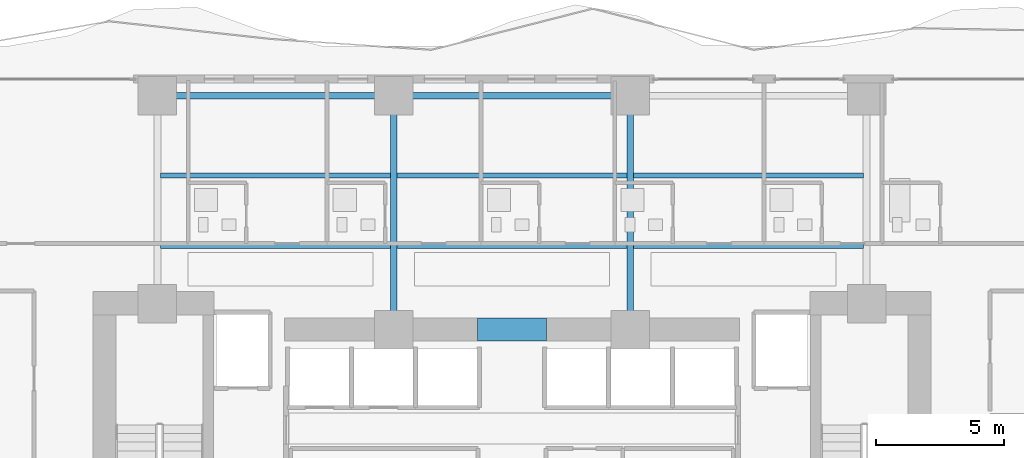
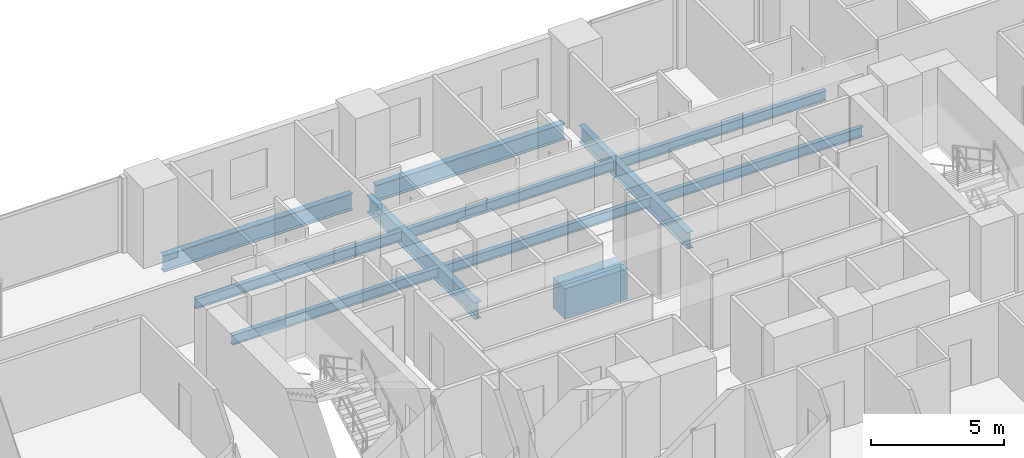
# One storey, part 14 of 28: 11 beams.
"""IFC4 building model written with IfcOpenShell, lengths in metres."""

from ifc_helpers import new_model, si_unit, direction, frame, origin, origin_2d, place, context, subcontext, project, spatial, rectangle, i_section, extrude, material, material_profile, profile_set, type_object, element, save


model = new_model("IFC4")

# Units and contexts
model_context = context("Model", 3, precision=1e-05, world=origin(), true_north=direction((0.0, 1.0)))
body_context = subcontext(model_context, "Body", "Model", "MODEL_VIEW")
ifc_project = project(units=[si_unit("LENGTHUNIT", "METRE"), si_unit("AREAUNIT", "SQUARE_METRE"), si_unit("VOLUMEUNIT", "CUBIC_METRE"), si_unit("PLANEANGLEUNIT", "RADIAN"), si_unit("MASSUNIT", "GRAM", prefix="KILO")], contexts=[model_context])

# Site, building, storey
site_placement = place(None, origin())
site = spatial("IfcSite", under=ifc_project, at=site_placement, CompositionType="ELEMENT")
building_placement = place(site_placement, origin())
building = spatial("IfcBuilding", under=site, at=building_placement, Name="Zuhayl Quay Hotel", CompositionType="ELEMENT")
storey_placement = place(building_placement, frame((0.0, 0.0, 31.25)))
storey = spatial("IfcBuildingStorey", under=building, at=storey_placement, Name="L06", CompositionType="ELEMENT", Elevation=31.25)

# Beams
ifc_material_1 = material(Name="Steel ASTM A992 Grade 50", Category="steel")
ifc_material_profile_1 = material_profile(ifc_material_1, i_section(OverallWidth=0.26708984375, OverallDepth=0.761962890625, WebThickness=0.014404296875, FlangeThickness=0.021484375, at=origin_2d()), Name="W30X116")
ifc_profile_set_1 = profile_set([ifc_material_profile_1], Name="Steel ASTM A992 Grade 50")
beam_type_1 = type_object("IfcBeamType", Name="BM_B1_W30X116", PredefinedType="BEAM", material=ifc_profile_set_1)
beam_1_placement = place(storey_placement, frame((4.10009765625, 22.449951171875, -0.60107421875), z_axis=(-1.0, 0.0, 0.0), x_axis=(0.0, -1.0, 0.0)))
element("IfcBeam", 1, at=beam_1_placement, inside=storey, type_object=beam_type_1, Name="L06 Floor Beam RG_L06_08", PredefinedType="BEAM", context=body_context, shape_type="SweptSolid", body=[
    extrude(i_section(OverallWidth=0.26708984375, OverallDepth=0.761962890625, WebThickness=0.014404296875, FlangeThickness=0.021484375, at=origin_2d()), origin(), (0.0, 0.0, 1.0), 8.2001953125),
])
beam_2_placement = place(storey_placement, frame((-5.10009765625, 22.449951171875, -0.60107421875), z_axis=(-1.0, 0.0, 0.0), x_axis=(0.0, -1.0, 0.0)))
element("IfcBeam", 2, at=beam_2_placement, inside=storey, type_object=beam_type_1, Name="L06 Floor Beam RG_L06_09", PredefinedType="BEAM", context=body_context, shape_type="SweptSolid", body=[
    extrude(i_section(OverallWidth=0.26708984375, OverallDepth=0.761962890625, WebThickness=0.014404296875, FlangeThickness=0.021484375, at=origin_2d()), origin(), (0.0, 0.0, 1.0), 8.199951171875),
])
for number, where, z_axis, x_axis, name in (
    (3, (-4.60009765625, 13.800048828125, -0.60107421875), (0.0, 1.0, 0.0), (-1.0, 0.0, 0.0), "L06 Floor Beam FG_N_L06_2"),
    (4, (4.60009765625, 13.800048828125, -0.60107421875), (0.0, 1.0, 0.0), (-1.0, 0.0, 0.0), "L06 Floor Beam FG_N_L06_3"),
):
    element("IfcBeam", number, at=place(storey_placement, frame(where, z_axis=z_axis, x_axis=x_axis)), inside=storey, type_object=beam_type_1, Name=name, PredefinedType="BEAM", context=body_context, shape_type="SweptSolid", body=[
        extrude(i_section(OverallWidth=0.26708984375, OverallDepth=0.761962890625, WebThickness=0.014404296875, FlangeThickness=0.021484375, at=origin_2d()), origin(), (0.0, 0.0, 1.0), 8.14990234375),
    ])
ifc_material_2 = material(Name="Concrete C60/75", Category="concrete")
ifc_material_profile_2 = material_profile(ifc_material_2, rectangle(XDim=0.89990234375, YDim=1.39990234375, at=origin_2d()), Name="RC900X1400")
ifc_profile_set_2 = profile_set([ifc_material_profile_2], Name="Concrete C60/75")
beam_type_2 = type_object("IfcBeamType", Name="BM_CB1_RC900", PredefinedType="T_BEAM", material=ifc_profile_set_2)
beam_3_placement = place(storey_placement, frame((-1.35009765625, 13.35009765625, -0.919921875), z_axis=(1.0, 0.0, 0.0), x_axis=(0.0, 1.0, 0.0)))
element("IfcBeam", 5, at=beam_3_placement, inside=storey, type_object=beam_type_2, Name="L06 Core Coupling Beam North", PredefinedType="T_BEAM", context=body_context, shape_type="SweptSolid", body=[
    extrude(rectangle(XDim=0.89990234375, YDim=1.39990234375, at=origin_2d()), origin(), (0.0, 0.0, 1.0), 2.7001953125),
])
ifc_material_profile_3 = material_profile(ifc_material_1, i_section(OverallWidth=0.18994140625, OverallDepth=0.45703125, WebThickness=0.009033203125, FlangeThickness=0.014404296875, at=origin_2d()), Name="W18X50")
ifc_profile_set_3 = profile_set([ifc_material_profile_3], Name="Steel ASTM A992 Grade 50")
beam_type_3 = type_object("IfcBeamType", Name="BM_J2_W18X50", PredefinedType="JOIST", material=ifc_profile_set_3)
beam_4_placement = place(storey_placement, frame((-13.674560546875, 16.60009765625, -0.448486328125), z_axis=(1.0, 0.0, 0.0), x_axis=(0.0, 1.0, 0.0)))
element("IfcBeam", 6, at=beam_4_placement, inside=storey, type_object=beam_type_3, Name="L06 Floor Beam FJ_L06_1_1", PredefinedType="JOIST", context=body_context, shape_type="SweptSolid", body=[
    extrude(i_section(OverallWidth=0.18994140625, OverallDepth=0.45703125, WebThickness=0.009033203125, FlangeThickness=0.014404296875, at=origin_2d()), origin(), (0.0, 0.0, 1.0), 8.948974609375),
])
beam_5_placement = place(storey_placement, frame((-4.474609375, 16.60009765625, -0.448486328125), z_axis=(1.0, 0.0, 0.0), x_axis=(0.0, 1.0, 0.0)))
element("IfcBeam", 7, at=beam_5_placement, inside=storey, type_object=beam_type_3, Name="L06 Floor Beam FJ_L06_1_2", PredefinedType="JOIST", context=body_context, shape_type="SweptSolid", body=[
    extrude(i_section(OverallWidth=0.18994140625, OverallDepth=0.45703125, WebThickness=0.009033203125, FlangeThickness=0.014404296875, at=origin_2d()), origin(), (0.0, 0.0, 1.0), 8.94921875),
])
for number, where, z_axis, x_axis, name in (
    (8, (4.7255859375, 16.60009765625, -0.448486328125), (1.0, 0.0, 0.0), (0.0, 1.0, 0.0), "L06 Floor Beam FJ_L06_1_3"),
    (9, (-13.674560546875, 19.35009765625, -0.448486328125), (1.0, 0.0, 0.0), (0.0, 1.0, 0.0), "L06 Floor Beam FJ_L06_2_1"),
):
    element("IfcBeam", number, at=place(storey_placement, frame(where, z_axis=z_axis, x_axis=x_axis)), inside=storey, type_object=beam_type_3, Name=name, PredefinedType="JOIST", context=body_context, shape_type="SweptSolid", body=[
        extrude(i_section(OverallWidth=0.18994140625, OverallDepth=0.45703125, WebThickness=0.009033203125, FlangeThickness=0.014404296875, at=origin_2d()), origin(), (0.0, 0.0, 1.0), 8.948974609375),
    ])
beam_6_placement = place(storey_placement, frame((-4.474609375, 19.35009765625, -0.448486328125), z_axis=(1.0, 0.0, 0.0), x_axis=(0.0, 1.0, 0.0)))
element("IfcBeam", 10, at=beam_6_placement, inside=storey, type_object=beam_type_3, Name="L06 Floor Beam FJ_L06_2_2", PredefinedType="JOIST", context=body_context, shape_type="SweptSolid", body=[
    extrude(i_section(OverallWidth=0.18994140625, OverallDepth=0.45703125, WebThickness=0.009033203125, FlangeThickness=0.014404296875, at=origin_2d()), origin(), (0.0, 0.0, 1.0), 8.94921875),
])
beam_7_placement = place(storey_placement, frame((4.7255859375, 19.35009765625, -0.448486328125), z_axis=(1.0, 0.0, 0.0), x_axis=(0.0, 1.0, 0.0)))
element("IfcBeam", 11, at=beam_7_placement, inside=storey, type_object=beam_type_3, Name="L06 Floor Beam FJ_L06_2_3", PredefinedType="JOIST", context=body_context, shape_type="SweptSolid", body=[
    extrude(i_section(OverallWidth=0.18994140625, OverallDepth=0.45703125, WebThickness=0.009033203125, FlangeThickness=0.014404296875, at=origin_2d()), origin(), (0.0, 0.0, 1.0), 8.948974609375),
])

save(model, "model.ifc")
